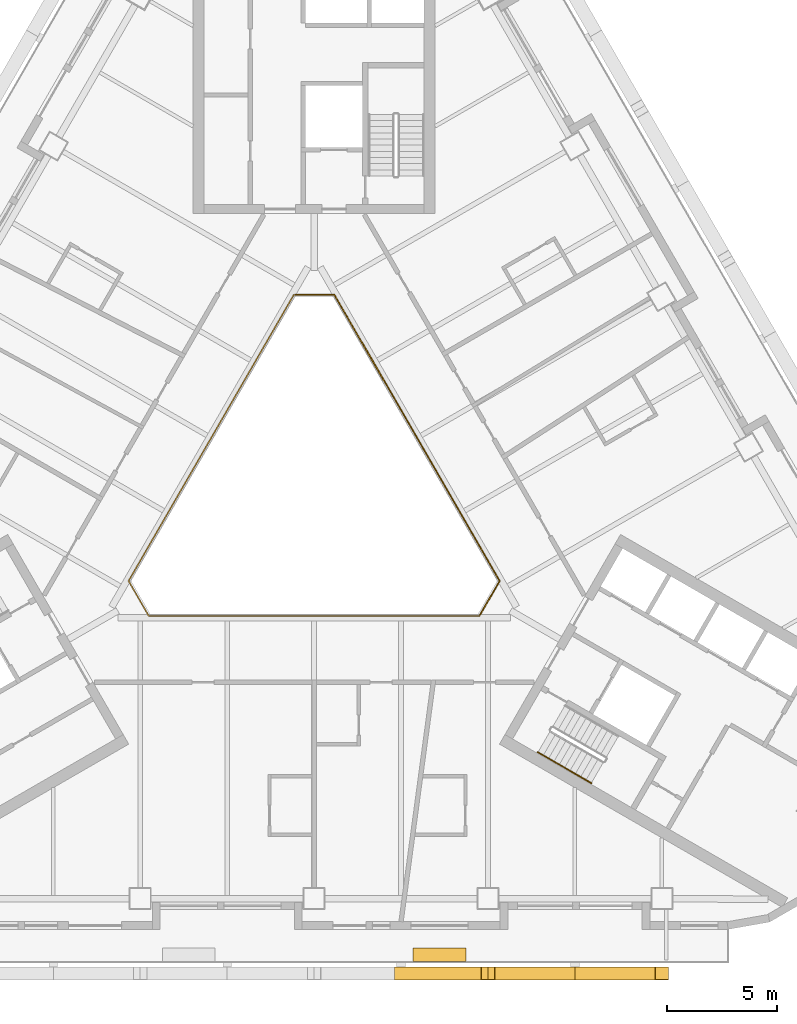
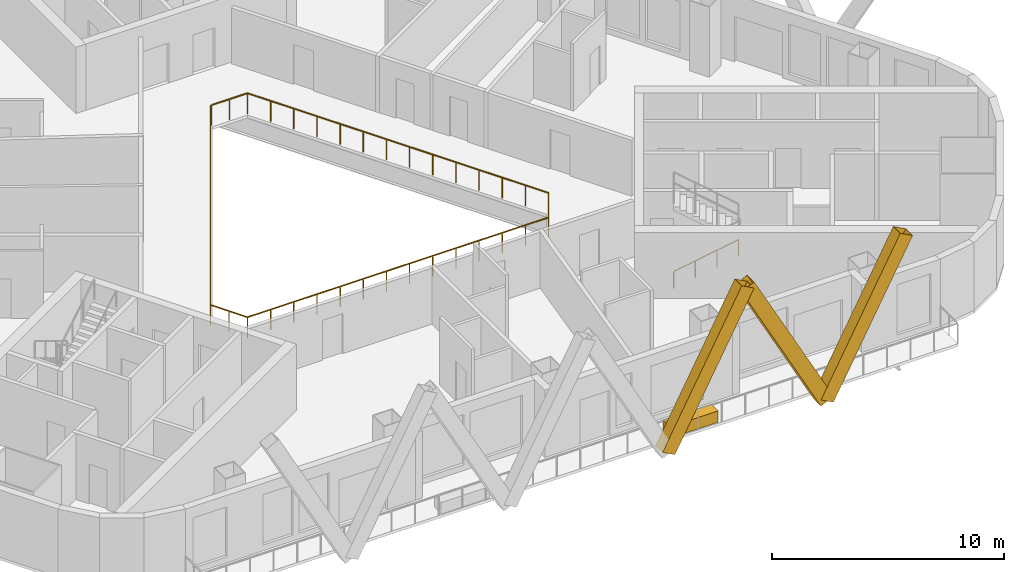
# One storey, part 10 of 13: 3 railings, 3 shading devices, 1 covering.
"""IFC4 building model written with IfcOpenShell, lengths in metres."""

from ifc_helpers import new_model, si_unit, direction, frame, origin, origin_2d, place, context, subcontext, project, spatial, rectangle, hollow_rectangle, circle, extrude, material, material_profile, profile_set, type_object, element, save


model = new_model("IFC4")

# Units and contexts
model_context = context("Model", 3, precision=1e-05, world=origin(), true_north=direction((0.0, 1.0)))
body_context = subcontext(model_context, "Body", "Model", "MODEL_VIEW")
ifc_project = project(units=[si_unit("LENGTHUNIT", "METRE"), si_unit("AREAUNIT", "SQUARE_METRE"), si_unit("VOLUMEUNIT", "CUBIC_METRE"), si_unit("PLANEANGLEUNIT", "RADIAN"), si_unit("MASSUNIT", "GRAM", prefix="KILO")], contexts=[model_context])

# Site, building, storey
site_placement = place(None, origin())
site = spatial("IfcSite", under=ifc_project, at=site_placement, CompositionType="ELEMENT")
building_placement = place(site_placement, origin())
building = spatial("IfcBuilding", under=site, at=building_placement, Name="Apuvela Tower Hotel", CompositionType="ELEMENT")
storey_placement = place(building_placement, frame((0.0, 0.0, 68.699951171875)))
storey = spatial("IfcBuildingStorey", under=building, at=storey_placement, Name="L14", CompositionType="ELEMENT", Elevation=68.699951171875)

# Railing
ifc_material_1 = material(Name="Stainless steel 316 handrail", Category="steel")
railing_type_1 = type_object("IfcRailingType", Name="COR-HANDRAIL-900", PredefinedType="HANDRAIL", material=ifc_material_1)
railing_1_placement = place(storey_placement, frame((10.1689453125, -11.5869140625, 0.168212890625)))
element("IfcRailing", 1, at=railing_1_placement, inside=storey, type_object=railing_type_1, Name="L14 ST3 stair handrail 1", PredefinedType="HANDRAIL", context=body_context, shape_type="SweptSolid", body=[
    extrude(circle(Radius=0.02392578125, at=origin_2d()), frame((0.0, 0.0, 0.8759765625), z_axis=(0.742390482028, -0.42860119049, 0.514934356695), x_axis=(0.49998411664, 0.866034573852, 0.0)), (0.0, 0.0, 1.0), 3.26611328125),
    extrude(rectangle(XDim=0.0419921875, YDim=0.0419921875, at=origin_2d()), origin(), (0.0, 0.0, 1.0), 0.851806640625),
    extrude(rectangle(XDim=0.0419921875, YDim=0.0419921875, at=origin_2d()), frame((0.808349609375, -0.466552734375, 0.560546875)), (0.0, 0.0, 1.0), 0.851806640625),
    extrude(rectangle(XDim=0.0419921875, YDim=0.0419921875, at=origin_2d()), frame((1.616455078125, -0.933349609375, 1.121337890625)), (0.0, 0.0, 1.0), 0.851806640625),
    extrude(rectangle(XDim=0.0419921875, YDim=0.0419921875, at=origin_2d()), frame((2.4248046875, -1.39990234375, 1.681884765625)), (0.0, 0.0, 1.0), 0.851806640625),
])

# Shading devices
ifc_material_2 = material(Name="Aluminium 6063-T6, black anodised", Category="aluminium")
ifc_material_profile = material_profile(ifc_material_2, hollow_rectangle(XDim=0.60009765625, YDim=0.699951171875, WallThickness=0.011962890625, at=origin_2d()), Name="AL BOX 700x600x12")
ifc_profile_set = profile_set([ifc_material_profile], Name="Aluminium 6063-T6, black anodised")
shading_device_type = type_object("IfcShadingDeviceType", Name="ENV-FIN-700x600", PredefinedType="USERDEFINED", material=ifc_profile_set)
for number, where, z_axis, x_axis, name in (
    (2, (3.949951171875, -21.6298828125, -0.099853515625), (0.470897892863, 0.0, 0.882187720668), (0.0, 1.0, 0.0), "Lattice fin S30"),
    (3, (11.85009765625, -21.6298828125, -0.099853515625), (-0.470920543904, 0.0, 0.882175629526), (0.0, -1.0, 0.0), "Lattice fin S31"),
    (4, (11.85009765625, -21.6298828125, -0.099853515625), (0.470897892863, 0.0, 0.882187720668), (0.0, 1.0, 0.0), "Lattice fin S32"),
):
    element("IfcShadingDevice", number, at=place(storey_placement, frame(where, z_axis=z_axis, x_axis=x_axis)), inside=storey, type_object=shading_device_type, Name=name, ObjectType="FIN", PredefinedType="USERDEFINED", context=body_context, shape_type="SweptSolid", body=[
        extrude(hollow_rectangle(XDim=0.60009765625, YDim=0.699951171875, WallThickness=0.011962890625, at=origin_2d()), origin(), (0.0, 0.0, 1.0), 8.38818359375),
    ])

# Railings
ifc_material_3 = material(Name="Stainless steel 316 rail with laminated glass infill", Category="steel")
railing_type_2 = type_object("IfcRailingType", Name="ENV-GUARD-1100", PredefinedType="GUARDRAIL", material=ifc_material_3)
railing_2_placement = place(storey_placement, frame((-0.923828125, 9.199951171875, 0.0)))
element("IfcRailing", 5, at=railing_2_placement, inside=storey, type_object=railing_type_2, Name="Atrium void guard A L14", PredefinedType="GUARDRAIL", context=body_context, shape_type="SweptSolid", body=[
    extrude(rectangle(XDim=0.050048828125, YDim=0.050048828125, at=origin_2d()), frame((0.0, 0.0, 1.0751953125), z_axis=(-0.499990886379, -0.866030665472, 0.0), x_axis=(0.866030665472, -0.499990886379, 0.0)), (0.0, 0.0, 1.0), 15.010986328125),
    extrude(rectangle(XDim=0.050048828125, YDim=0.050048828125, at=origin_2d()), frame((-7.50537109375, -13.0, 1.0751953125), z_axis=(0.499962699187, -0.866046938348, 0.0), x_axis=(0.866046938348, 0.499962699187, 0.0)), (0.0, 0.0, 1.0), 1.847412109375),
    extrude(rectangle(XDim=0.050048828125, YDim=0.050048828125, at=origin_2d()), frame((-6.581787109375, -14.599853515625, 1.0751953125), z_axis=(1.0, 0.0, 0.0), x_axis=(0.0, 1.0, 0.0)), (0.0, 0.0, 1.0), 15.01123046875),
    extrude(rectangle(XDim=0.0400390625, YDim=0.0400390625, at=origin_2d()), origin(), (0.0, 0.0, 1.0), 1.050048828125),
    extrude(rectangle(XDim=0.0400390625, YDim=0.0400390625, at=origin_2d()), frame((-0.577392578125, -1.0, 0.0)), (0.0, 0.0, 1.0), 1.050048828125),
    extrude(rectangle(XDim=0.0400390625, YDim=0.0400390625, at=origin_2d()), frame((-1.15478515625, -2.0, 0.0)), (0.0, 0.0, 1.0), 1.050048828125),
    extrude(rectangle(XDim=0.0400390625, YDim=0.0400390625, at=origin_2d()), frame((-1.73193359375, -3.0, 0.0)), (0.0, 0.0, 1.0), 1.050048828125),
    extrude(rectangle(XDim=0.0400390625, YDim=0.0400390625, at=origin_2d()), frame((-2.309326171875, -4.0, 0.0)), (0.0, 0.0, 1.0), 1.050048828125),
    extrude(rectangle(XDim=0.0400390625, YDim=0.0400390625, at=origin_2d()), frame((-2.88671875, -5.0, 0.0)), (0.0, 0.0, 1.0), 1.050048828125),
    extrude(rectangle(XDim=0.0400390625, YDim=0.0400390625, at=origin_2d()), frame((-3.464111328125, -6.0, 0.0)), (0.0, 0.0, 1.0), 1.050048828125),
    extrude(rectangle(XDim=0.0400390625, YDim=0.0400390625, at=origin_2d()), frame((-4.041259765625, -7.0, 0.0)), (0.0, 0.0, 1.0), 1.050048828125),
    extrude(rectangle(XDim=0.0400390625, YDim=0.0400390625, at=origin_2d()), frame((-4.61865234375, -8.0, 0.0)), (0.0, 0.0, 1.0), 1.050048828125),
    extrude(rectangle(XDim=0.0400390625, YDim=0.0400390625, at=origin_2d()), frame((-5.196044921875, -9.0, 0.0)), (0.0, 0.0, 1.0), 1.050048828125),
    extrude(rectangle(XDim=0.0400390625, YDim=0.0400390625, at=origin_2d()), frame((-5.7734375, -10.0, 0.0)), (0.0, 0.0, 1.0), 1.050048828125),
    extrude(rectangle(XDim=0.0400390625, YDim=0.0400390625, at=origin_2d()), frame((-6.3505859375, -11.0, 0.0)), (0.0, 0.0, 1.0), 1.050048828125),
    extrude(rectangle(XDim=0.0400390625, YDim=0.0400390625, at=origin_2d()), frame((-6.927978515625, -12.0, 0.0)), (0.0, 0.0, 1.0), 1.050048828125),
    extrude(rectangle(XDim=0.0400390625, YDim=0.0400390625, at=origin_2d()), frame((-7.50537109375, -13.0, 0.0)), (0.0, 0.0, 1.0), 1.050048828125),
    extrude(rectangle(XDim=0.0400390625, YDim=0.0400390625, at=origin_2d()), frame((-7.04345703125, -13.7998046875, 0.0)), (0.0, 0.0, 1.0), 1.050048828125),
    extrude(rectangle(XDim=0.0400390625, YDim=0.0400390625, at=origin_2d()), frame((-6.581787109375, -14.599853515625, 0.0)), (0.0, 0.0, 1.0), 1.050048828125),
    extrude(rectangle(XDim=0.0400390625, YDim=0.0400390625, at=origin_2d()), frame((-5.427001953125, -14.599853515625, 0.0)), (0.0, 0.0, 1.0), 1.050048828125),
    extrude(rectangle(XDim=0.0400390625, YDim=0.0400390625, at=origin_2d()), frame((-4.2724609375, -14.599853515625, 0.0)), (0.0, 0.0, 1.0), 1.050048828125),
    extrude(rectangle(XDim=0.0400390625, YDim=0.0400390625, at=origin_2d()), frame((-3.11767578125, -14.599853515625, 0.0)), (0.0, 0.0, 1.0), 1.050048828125),
    extrude(rectangle(XDim=0.0400390625, YDim=0.0400390625, at=origin_2d()), frame((-1.962890625, -14.599853515625, 0.0)), (0.0, 0.0, 1.0), 1.050048828125),
    extrude(rectangle(XDim=0.0400390625, YDim=0.0400390625, at=origin_2d()), frame((-0.808349609375, -14.599853515625, 0.0)), (0.0, 0.0, 1.0), 1.050048828125),
    extrude(rectangle(XDim=0.0400390625, YDim=0.0400390625, at=origin_2d()), frame((0.346435546875, -14.599853515625, 0.0)), (0.0, 0.0, 1.0), 1.050048828125),
    extrude(rectangle(XDim=0.0400390625, YDim=0.0400390625, at=origin_2d()), frame((1.501220703125, -14.599853515625, 0.0)), (0.0, 0.0, 1.0), 1.050048828125),
    extrude(rectangle(XDim=0.0400390625, YDim=0.0400390625, at=origin_2d()), frame((2.656005859375, -14.599853515625, 0.0)), (0.0, 0.0, 1.0), 1.050048828125),
    extrude(rectangle(XDim=0.0400390625, YDim=0.0400390625, at=origin_2d()), frame((3.810546875, -14.599853515625, 0.0)), (0.0, 0.0, 1.0), 1.050048828125),
    extrude(rectangle(XDim=0.0400390625, YDim=0.0400390625, at=origin_2d()), frame((4.96533203125, -14.599853515625, 0.0)), (0.0, 0.0, 1.0), 1.050048828125),
    extrude(rectangle(XDim=0.0400390625, YDim=0.0400390625, at=origin_2d()), frame((6.1201171875, -14.599853515625, 0.0)), (0.0, 0.0, 1.0), 1.050048828125),
    extrude(rectangle(XDim=0.0400390625, YDim=0.0400390625, at=origin_2d()), frame((7.274658203125, -14.599853515625, 0.0)), (0.0, 0.0, 1.0), 1.050048828125),
    extrude(rectangle(XDim=0.0400390625, YDim=0.0400390625, at=origin_2d()), frame((8.429443359375, -14.599853515625, 0.0)), (0.0, 0.0, 1.0), 1.050048828125),
])
railing_3_placement = place(storey_placement, frame((7.53564453125, -5.347900390625, 0.0)))
element("IfcRailing", 6, at=railing_3_placement, inside=storey, type_object=railing_type_2, Name="Atrium void guard B L14", PredefinedType="GUARDRAIL", context=body_context, shape_type="SweptSolid", body=[
    extrude(rectangle(XDim=0.050048828125, YDim=0.050048828125, at=origin_2d()), frame((0.0, 0.0, 1.0751953125), z_axis=(0.499958946799, 0.866049104564, 0.0), x_axis=(-0.866049104564, 0.499958946799, 0.0)), (0.0, 0.0, 1.0), 1.787353515625),
    extrude(rectangle(XDim=0.050048828125, YDim=0.050048828125, at=origin_2d()), frame((0.8935546875, 1.5478515625, 1.0751953125), z_axis=(-0.499990886379, 0.866030665472, 0.0), x_axis=(-0.866030665472, -0.499990886379, 0.0)), (0.0, 0.0, 1.0), 15.010986328125),
    extrude(rectangle(XDim=0.050048828125, YDim=0.050048828125, at=origin_2d()), frame((-6.61181640625, 14.5478515625, 1.0751953125), z_axis=(-1.0, 0.0, 0.0), x_axis=(0.0, -1.0, 0.0)), (0.0, 0.0, 1.0), 1.78759765625),
    extrude(rectangle(XDim=0.0400390625, YDim=0.0400390625, at=origin_2d()), origin(), (0.0, 0.0, 1.0), 1.050048828125),
    extrude(rectangle(XDim=0.0400390625, YDim=0.0400390625, at=origin_2d()), frame((0.44677734375, 0.77392578125, 0.0)), (0.0, 0.0, 1.0), 1.050048828125),
    extrude(rectangle(XDim=0.0400390625, YDim=0.0400390625, at=origin_2d()), frame((0.8935546875, 1.5478515625, 0.0)), (0.0, 0.0, 1.0), 1.050048828125),
    extrude(rectangle(XDim=0.0400390625, YDim=0.0400390625, at=origin_2d()), frame((0.316162109375, 2.5478515625, 0.0)), (0.0, 0.0, 1.0), 1.050048828125),
    extrude(rectangle(XDim=0.0400390625, YDim=0.0400390625, at=origin_2d()), frame((-0.26123046875, 3.5478515625, 0.0)), (0.0, 0.0, 1.0), 1.050048828125),
    extrude(rectangle(XDim=0.0400390625, YDim=0.0400390625, at=origin_2d()), frame((-0.83837890625, 4.5478515625, 0.0)), (0.0, 0.0, 1.0), 1.050048828125),
    extrude(rectangle(XDim=0.0400390625, YDim=0.0400390625, at=origin_2d()), frame((-1.415771484375, 5.5478515625, 0.0)), (0.0, 0.0, 1.0), 1.050048828125),
    extrude(rectangle(XDim=0.0400390625, YDim=0.0400390625, at=origin_2d()), frame((-1.9931640625, 6.5478515625, 0.0)), (0.0, 0.0, 1.0), 1.050048828125),
    extrude(rectangle(XDim=0.0400390625, YDim=0.0400390625, at=origin_2d()), frame((-2.570556640625, 7.5478515625, 0.0)), (0.0, 0.0, 1.0), 1.050048828125),
    extrude(rectangle(XDim=0.0400390625, YDim=0.0400390625, at=origin_2d()), frame((-3.147705078125, 8.5478515625, 0.0)), (0.0, 0.0, 1.0), 1.050048828125),
    extrude(rectangle(XDim=0.0400390625, YDim=0.0400390625, at=origin_2d()), frame((-3.72509765625, 9.5478515625, 0.0)), (0.0, 0.0, 1.0), 1.050048828125),
    extrude(rectangle(XDim=0.0400390625, YDim=0.0400390625, at=origin_2d()), frame((-4.302490234375, 10.5478515625, 0.0)), (0.0, 0.0, 1.0), 1.050048828125),
    extrude(rectangle(XDim=0.0400390625, YDim=0.0400390625, at=origin_2d()), frame((-4.8798828125, 11.5478515625, 0.0)), (0.0, 0.0, 1.0), 1.050048828125),
    extrude(rectangle(XDim=0.0400390625, YDim=0.0400390625, at=origin_2d()), frame((-5.45703125, 12.5478515625, 0.0)), (0.0, 0.0, 1.0), 1.050048828125),
    extrude(rectangle(XDim=0.0400390625, YDim=0.0400390625, at=origin_2d()), frame((-6.034423828125, 13.5478515625, 0.0)), (0.0, 0.0, 1.0), 1.050048828125),
    extrude(rectangle(XDim=0.0400390625, YDim=0.0400390625, at=origin_2d()), frame((-6.61181640625, 14.5478515625, 0.0)), (0.0, 0.0, 1.0), 1.050048828125),
    extrude(rectangle(XDim=0.0400390625, YDim=0.0400390625, at=origin_2d()), frame((-7.505615234375, 14.5478515625, 0.0)), (0.0, 0.0, 1.0), 1.050048828125),
    extrude(rectangle(XDim=0.0400390625, YDim=0.0400390625, at=origin_2d()), frame((-8.3994140625, 14.5478515625, 0.0)), (0.0, 0.0, 1.0), 1.050048828125),
])

# Covering
ifc_material_4 = material(Name="Planting substrate and soil, planted")
covering_type = type_object("IfcCoveringType", Name="ENV-PLANTER-2400x600", PredefinedType="USERDEFINED", material=ifc_material_4)
covering_placement = place(storey_placement, frame((5.70068359375, -20.780029296875, 0.0), z_axis=(0.0, 0.0, 1.0), x_axis=(1.0, 0.0, 0.0)))
element("IfcCovering", 7, at=covering_placement, inside=storey, type_object=covering_type, Name="Planter S2", ObjectType="PLANTER", PredefinedType="USERDEFINED", context=body_context, shape_type="SweptSolid", body=[
    extrude(rectangle(XDim=2.39990234375, YDim=0.60009765625, at=origin_2d()), origin(), (0.0, 0.0, 1.0), 0.60009765625),
])

save(model, "model.ifc")
